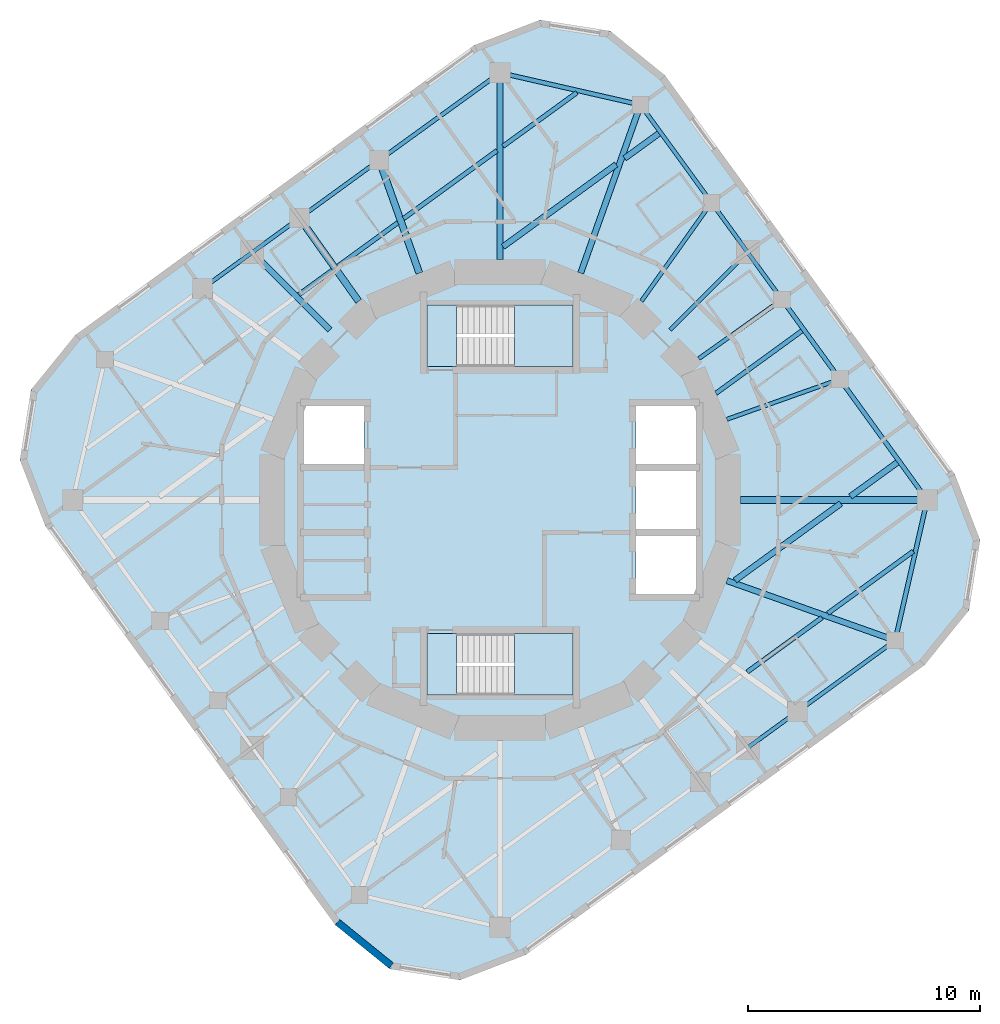
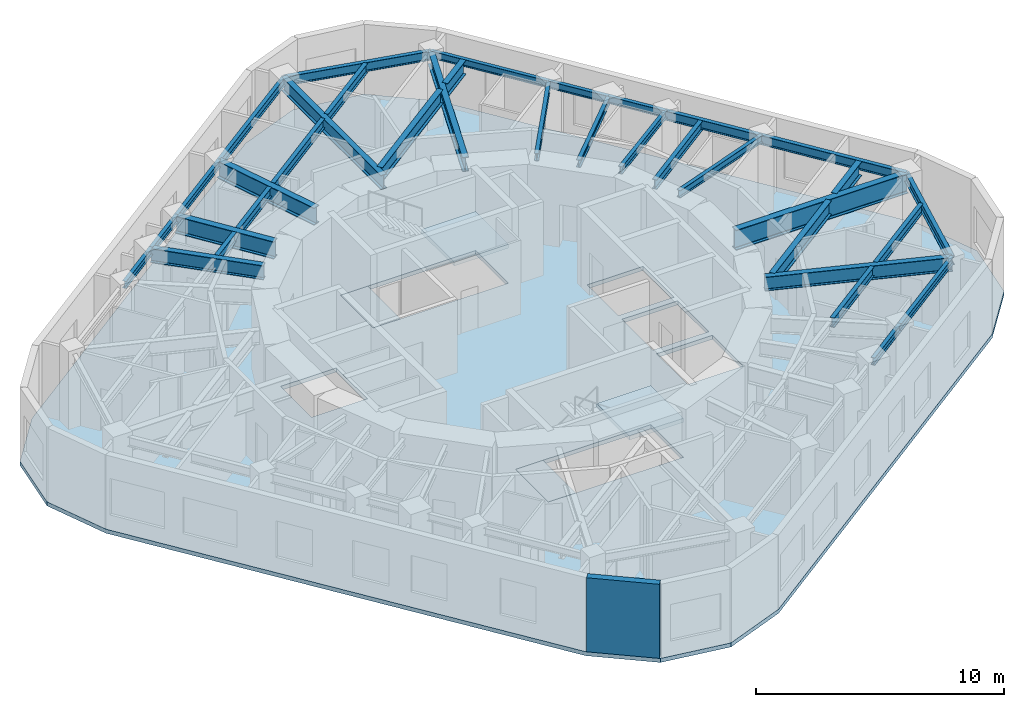
# One storey, part 2 of 9: 35 beams, 5 slabs, 1 wall, 2 elements without a shape of their own.
"""IFC4 building model written with IfcOpenShell, lengths in metres."""

from ifc_helpers import new_model, si_unit, direction, frame, frame_2d, origin, origin_2d, place, context, subcontext, project, spatial, polyline, rectangle, i_section, outline, extrude, material, layer, layer_set, material_profile, profile_set, type_object, element, aggregate, save


model = new_model("IFC4")

# Units and contexts
model_context = context("Model", 3, precision=1e-05, world=origin(), true_north=direction((0.0, 1.0)))
body_context = subcontext(model_context, "Body", "Model", "MODEL_VIEW")
ifc_project = project(units=[si_unit("LENGTHUNIT", "METRE"), si_unit("AREAUNIT", "SQUARE_METRE"), si_unit("VOLUMEUNIT", "CUBIC_METRE"), si_unit("PLANEANGLEUNIT", "RADIAN"), si_unit("MASSUNIT", "GRAM", prefix="KILO")], contexts=[model_context])

# Site, building, storey
site_placement = place(None, origin())
site = spatial("IfcSite", under=ifc_project, at=site_placement, CompositionType="ELEMENT")
building_placement = place(site_placement, origin())
building = spatial("IfcBuilding", under=site, at=building_placement, Name="Nakasero Lantern House", CompositionType="ELEMENT")
storey_placement = place(building_placement, frame((0.0, 0.0, 279.14990234375)))
storey = spatial("IfcBuildingStorey", under=building, at=storey_placement, Name="L68", CompositionType="ELEMENT", Elevation=279.14990234375)

# Beams
ifc_material_1 = material(Name="Steel S355", Category="steel")
ifc_material_profile_1 = material_profile(ifc_material_1, i_section(OverallWidth=0.19140625, OverallDepth=0.4599609375, WebThickness=0.010009765625, FlangeThickness=0.01611328125, FilletRadius=0.01025390625, at=origin_2d()), Name="UB 457x191x82")
ifc_profile_set_1 = profile_set([ifc_material_profile_1], Name="Steel S355")
beam_type_1 = type_object("IfcBeamType", Name="Infill beam UB 457x191x82", PredefinedType="JOIST", material=ifc_profile_set_1)
beam_1_placement = place(storey_placement, frame((10.646240234375, -7.406982421875, 3.420166015625), z_axis=(0.809006350712, 0.587799901759, 0.0), x_axis=(-0.587799901759, 0.809006350712, 0.0)))
element("IfcBeam", 1, at=beam_1_placement, inside=storey, type_object=beam_type_1, Name="Infill beam L69 03.6", PredefinedType="JOIST", context=body_context, shape_type="SweptSolid", body=[
    extrude(i_section(OverallWidth=0.19140625, OverallDepth=0.4599609375, WebThickness=0.010009765625, FlangeThickness=0.01611328125, FilletRadius=0.01025390625, at=origin_2d()), origin(), (0.0, 0.0, 1.0), 3.983154296875),
])
beam_2_placement = place(storey_placement, frame((14.117431640625, -4.885009765625, 3.420166015625), z_axis=(0.80901210161, 0.587791986546, 0.0), x_axis=(-0.587791986546, 0.80901210161, 0.0)))
element("IfcBeam", 2, at=beam_2_placement, inside=storey, type_object=beam_type_1, Name="Infill beam L69 03.7", PredefinedType="JOIST", context=body_context, shape_type="SweptSolid", body=[
    extrude(i_section(OverallWidth=0.19140625, OverallDepth=0.4599609375, WebThickness=0.010009765625, FlangeThickness=0.01611328125, FilletRadius=0.01025390625, at=origin_2d()), origin(), (0.0, 0.0, 1.0), 4.55029296875),
])
beam_3_placement = place(storey_placement, frame((9.306396484375, 4.598388671875, 3.420166015625), z_axis=(0.809017640959, 0.587784362344, 0.0), x_axis=(-0.587784362344, 0.809017640959, 0.0)))
element("IfcBeam", 3, at=beam_3_placement, inside=storey, type_object=beam_type_1, Name="Infill beam L69 06.1", PredefinedType="JOIST", context=body_context, shape_type="SweptSolid", body=[
    extrude(i_section(OverallWidth=0.19140625, OverallDepth=0.4599609375, WebThickness=0.010009765625, FlangeThickness=0.01611328125, FilletRadius=0.01025390625, at=origin_2d()), origin(), (0.0, 0.0, 1.0), 4.572998046875),
])
beam_4_placement = place(storey_placement, frame((-8.665283203125, 8.84619140625, 3.420166015625), z_axis=(0.809060510352, 0.587725353025, 0.0), x_axis=(-0.587725353025, 0.809060510352, 0.0)))
element("IfcBeam", 4, at=beam_4_placement, inside=storey, type_object=beam_type_1, Name="Infill beam L69 10.4", PredefinedType="JOIST", context=body_context, shape_type="SweptSolid", body=[
    extrude(i_section(OverallWidth=0.19140625, OverallDepth=0.4599609375, WebThickness=0.010009765625, FlangeThickness=0.01611328125, FilletRadius=0.01025390625, at=origin_2d()), origin(), (0.0, 0.0, 1.0), 1.7890625),
])
beam_5_placement = place(storey_placement, frame((-6.981201171875, 10.069580078125, 3.420166015625), z_axis=(0.809014147131, 0.587789171167, 0.0), x_axis=(-0.587789171167, 0.809014147131, 0.0)))
element("IfcBeam", 5, at=beam_5_placement, inside=storey, type_object=beam_type_1, Name="Infill beam L69 10.5", PredefinedType="JOIST", context=body_context, shape_type="SweptSolid", body=[
    extrude(i_section(OverallWidth=0.19140625, OverallDepth=0.4599609375, WebThickness=0.010009765625, FlangeThickness=0.01611328125, FilletRadius=0.01025390625, at=origin_2d()), origin(), (0.0, 0.0, 1.0), 3.188232421875),
])
beam_6_placement = place(storey_placement, frame((-4.1552734375, 12.122802734375, 3.420166015625), z_axis=(0.809018056479, 0.587783790428, 0.0), x_axis=(-0.587783790428, 0.809018056479, 0.0)))
element("IfcBeam", 6, at=beam_6_placement, inside=storey, type_object=beam_type_1, Name="Infill beam L69 10.6", PredefinedType="JOIST", context=body_context, shape_type="SweptSolid", body=[
    extrude(i_section(OverallWidth=0.19140625, OverallDepth=0.4599609375, WebThickness=0.010009765625, FlangeThickness=0.01611328125, FilletRadius=0.01025390625, at=origin_2d()), origin(), (0.0, 0.0, 1.0), 4.97802734375),
])
beam_7_placement = place(storey_placement, frame((0.1279296875, 15.23486328125, 3.420166015625), z_axis=(0.809028442836, 0.587769494515, 0.0), x_axis=(-0.587769494515, 0.809028442836, 0.0)))
element("IfcBeam", 7, at=beam_7_placement, inside=storey, type_object=beam_type_1, Name="Infill beam L69 10.7", PredefinedType="JOIST", context=body_context, shape_type="SweptSolid", body=[
    extrude(i_section(OverallWidth=0.19140625, OverallDepth=0.4599609375, WebThickness=0.010009765625, FlangeThickness=0.01611328125, FilletRadius=0.01025390625, at=origin_2d()), origin(), (0.0, 0.0, 1.0), 3.934814453125),
])
ifc_material_2 = material(Name="Steel S355", Category="steel")
ifc_material_profile_2 = material_profile(ifc_material_2, i_section(OverallWidth=0.255859375, OverallDepth=0.69287109375, WebThickness=0.014404296875, FlangeThickness=0.023681640625, FilletRadius=0.01513671875, at=origin_2d()), Name="UB 686x254x170")
ifc_profile_set_2 = profile_set([ifc_material_profile_2], Name="Steel S355")
beam_type_2 = type_object("IfcBeamType", Name="Infill beam UB 686x254x170", PredefinedType="JOIST", material=ifc_profile_set_2)
beam_8_placement = place(storey_placement, frame((10.119384765625, -3.46337890625, 3.3037109375), z_axis=(0.809013172462, 0.587790512669, 0.0), x_axis=(-0.587790512669, 0.809013172462, 0.0)))
element("IfcBeam", 8, at=beam_8_placement, inside=storey, type_object=beam_type_2, Name="Infill beam L69 04.3", PredefinedType="JOIST", context=body_context, shape_type="SweptSolid", body=[
    extrude(i_section(OverallWidth=0.255859375, OverallDepth=0.69287109375, WebThickness=0.014404296875, FlangeThickness=0.023681640625, FilletRadius=0.01513671875, at=origin_2d()), origin(), (0.0, 0.0, 1.0), 5.63720703125),
])
beam_9_placement = place(storey_placement, frame((15.0927734375, 0.14990234375, 3.3037109375), z_axis=(0.809015124384, 0.587787826106, 0.0), x_axis=(-0.587787826106, 0.809015124384, 0.0)))
element("IfcBeam", 9, at=beam_9_placement, inside=storey, type_object=beam_type_2, Name="Infill beam L69 04.4", PredefinedType="JOIST", context=body_context, shape_type="SweptSolid", body=[
    extrude(i_section(OverallWidth=0.255859375, OverallDepth=0.69287109375, WebThickness=0.014404296875, FlangeThickness=0.023681640625, FilletRadius=0.01513671875, at=origin_2d()), origin(), (0.0, 0.0, 1.0), 2.496337890625),
])
beam_10_placement = place(storey_placement, frame((0.1279296875, 10.908447265625, 3.3037109375), z_axis=(0.809011117524, 0.587793340998, 0.0), x_axis=(-0.587793340998, 0.809011117524, 0.0)))
element("IfcBeam", 10, at=beam_10_placement, inside=storey, type_object=beam_type_2, Name="Infill beam L69 09.3", PredefinedType="JOIST", context=body_context, shape_type="SweptSolid", body=[
    extrude(i_section(OverallWidth=0.255859375, OverallDepth=0.69287109375, WebThickness=0.014404296875, FlangeThickness=0.023681640625, FilletRadius=0.01513671875, at=origin_2d()), origin(), (0.0, 0.0, 1.0), 6.024658203125),
])
beam_11_placement = place(storey_placement, frame((5.367919921875, 14.715576171875, 3.3037109375), z_axis=(0.809025740158, 0.587773214566, 0.0), x_axis=(-0.587773214566, 0.809025740158, 0.0)))
element("IfcBeam", 11, at=beam_11_placement, inside=storey, type_object=beam_type_2, Name="Infill beam L69 09.4", PredefinedType="JOIST", context=body_context, shape_type="SweptSolid", body=[
    extrude(i_section(OverallWidth=0.255859375, OverallDepth=0.69287109375, WebThickness=0.014404296875, FlangeThickness=0.023681640625, FilletRadius=0.01513671875, at=origin_2d()), origin(), (0.0, 0.0, 1.0), 1.82177734375),
])
ifc_material_3 = material(Name="Steel S355", Category="steel")
ifc_material_profile_3 = material_profile(ifc_material_3, i_section(OverallWidth=0.300048828125, OverallDepth=0.97998046875, WebThickness=0.0166015625, FlangeThickness=0.02587890625, FilletRadius=0.030029296875, at=origin_2d()), Name="UB 1016x305x249")
ifc_profile_set_3 = profile_set([ifc_material_profile_3], Name="Steel S355")
beam_type_3 = type_object("IfcBeamType", Name="Primary beam UB 1016x305x249, span 6 to 9 m", PredefinedType="BEAM", material=ifc_profile_set_3)
beam_12_placement = place(storey_placement, frame((18.39990234375, 0.0, 3.16015625), z_axis=(-1.0, 0.0, 0.0), x_axis=(0.0, -1.0, 0.0)))
element("IfcBeam", 12, at=beam_12_placement, inside=storey, type_object=beam_type_3, Name="Primary beam L69 B7-C03", PredefinedType="BEAM", context=body_context, shape_type="SweptSolid", body=[
    extrude(i_section(OverallWidth=0.300048828125, OverallDepth=0.97998046875, WebThickness=0.0166015625, FlangeThickness=0.02587890625, FilletRadius=0.030029296875, at=origin_2d()), origin(), (0.0, 0.0, 1.0), 8.0419921875),
])
ifc_material_4 = material(Name="Steel S355", Category="steel")
ifc_material_profile_4 = material_profile(ifc_material_4, i_section(OverallWidth=0.17138671875, OverallDepth=0.35498046875, WebThickness=0.00732421875, FlangeThickness=0.011474609375, FilletRadius=0.01025390625, at=origin_2d()), Name="UB 356x171x51")
ifc_profile_set_4 = profile_set([ifc_material_profile_4], Name="Steel S355")
beam_type_4 = type_object("IfcBeamType", Name="Primary beam UB 356x171x51, span to 6 m", PredefinedType="BEAM", material=ifc_profile_set_4)
beam_13_placement = place(storey_placement, frame((14.636474609375, 5.2041015625, 3.47265625), z_axis=(-0.942221324153, -0.3349910093, 0.0), x_axis=(0.3349910093, -0.942221324153, 0.0)))
element("IfcBeam", 13, at=beam_13_placement, inside=storey, type_object=beam_type_4, Name="Primary beam L69 B7-C04", PredefinedType="BEAM", context=body_context, shape_type="SweptSolid", body=[
    extrude(i_section(OverallWidth=0.17138671875, OverallDepth=0.35498046875, WebThickness=0.00732421875, FlangeThickness=0.011474609375, FilletRadius=0.01025390625, at=origin_2d()), origin(), (0.0, 0.0, 1.0), 5.162841796875),
])
beam_14_placement = place(storey_placement, frame((12.1435546875, 8.63525390625, 3.47265625), z_axis=(-0.814988544116, -0.579477068537, 0.0), x_axis=(0.579477068537, -0.814988544116, 0.0)))
element("IfcBeam", 14, at=beam_14_placement, inside=storey, type_object=beam_type_4, Name="Primary beam L69 B7-C05", PredefinedType="BEAM", context=body_context, shape_type="SweptSolid", body=[
    extrude(i_section(OverallWidth=0.17138671875, OverallDepth=0.35498046875, WebThickness=0.00732421875, FlangeThickness=0.011474609375, FilletRadius=0.01025390625, at=origin_2d()), origin(), (0.0, 0.0, 1.0), 4.396484375),
])
beam_15_placement = place(storey_placement, frame((10.667236328125, 10.667236328125, 3.47265625), z_axis=(-0.707106781187, -0.707106781187, 0.0), x_axis=(0.707106781187, -0.707106781187, 0.0)))
element("IfcBeam", 15, at=beam_15_placement, inside=storey, type_object=beam_type_4, Name="Primary beam L69 B7-C06", PredefinedType="BEAM", context=body_context, shape_type="SweptSolid", body=[
    extrude(i_section(OverallWidth=0.17138671875, OverallDepth=0.35498046875, WebThickness=0.00732421875, FlangeThickness=0.011474609375, FilletRadius=0.01025390625, at=origin_2d()), origin(), (0.0, 0.0, 1.0), 4.727783203125),
])
beam_16_placement = place(storey_placement, frame((9.10986328125, 12.810791015625, 3.47265625), z_axis=(-0.579500985986, -0.814971537688, 0.0), x_axis=(0.814971537688, -0.579500985986, 0.0)))
element("IfcBeam", 16, at=beam_16_placement, inside=storey, type_object=beam_type_4, Name="Primary beam L69 B7-C07", PredefinedType="BEAM", context=body_context, shape_type="SweptSolid", body=[
    extrude(i_section(OverallWidth=0.17138671875, OverallDepth=0.35498046875, WebThickness=0.00732421875, FlangeThickness=0.011474609375, FilletRadius=0.01025390625, at=origin_2d()), origin(), (0.0, 0.0, 1.0), 5.215087890625),
])
ifc_material_5 = material(Name="Steel S355", Category="steel")
ifc_material_profile_5 = material_profile(ifc_material_5, i_section(OverallWidth=0.253662109375, OverallDepth=0.68359375, WebThickness=0.012451171875, FlangeThickness=0.01904296875, FilletRadius=0.01513671875, at=origin_2d()), Name="UB 686x254x140")
ifc_profile_set_5 = profile_set([ifc_material_profile_5], Name="Steel S355")
beam_type_5 = type_object("IfcBeamType", Name="Primary beam UB 686x254x140, span 6 to 9 m", PredefinedType="BEAM", material=ifc_profile_set_5)
beam_17_placement = place(storey_placement, frame((17.02001953125, -6.051513671875, 3.308349609375), z_axis=(-0.942222036561, 0.334989005521, 0.0), x_axis=(-0.334989005521, -0.942222036561, 0.0)))
element("IfcBeam", 17, at=beam_17_placement, inside=storey, type_object=beam_type_5, Name="Primary beam L69 B7-C02", PredefinedType="BEAM", context=body_context, shape_type="SweptSolid", body=[
    extrude(i_section(OverallWidth=0.253662109375, OverallDepth=0.68359375, WebThickness=0.012451171875, FlangeThickness=0.01904296875, FilletRadius=0.01513671875, at=origin_2d()), origin(), (0.0, 0.0, 1.0), 7.6923828125),
])
ifc_material_6 = material(Name="Steel S355", Category="steel")
ifc_material_profile_6 = material_profile(ifc_material_6, i_section(OverallWidth=0.255859375, OverallDepth=0.69287109375, WebThickness=0.014404296875, FlangeThickness=0.023681640625, FilletRadius=0.01513671875, at=origin_2d()), Name="UB 686x254x170")
ifc_profile_set_6 = profile_set([ifc_material_profile_6], Name="Steel S355")
beam_type_6 = type_object("IfcBeamType", Name="Primary beam UB 686x254x170, span 6 to 9 m", PredefinedType="BEAM", material=ifc_profile_set_6)
beam_18_placement = place(storey_placement, frame((6.051513671875, 17.02001953125, 3.3037109375), z_axis=(-0.334989005521, -0.942222036561, 0.0), x_axis=(0.942222036561, -0.334989005521, 0.0)))
element("IfcBeam", 18, at=beam_18_placement, inside=storey, type_object=beam_type_6, Name="Primary beam L69 B7-C08", PredefinedType="BEAM", context=body_context, shape_type="SweptSolid", body=[
    extrude(i_section(OverallWidth=0.255859375, OverallDepth=0.69287109375, WebThickness=0.014404296875, FlangeThickness=0.023681640625, FilletRadius=0.01513671875, at=origin_2d()), origin(), (0.0, 0.0, 1.0), 7.6923828125),
])
beam_19_placement = place(storey_placement, frame((0.0, 18.39990234375, 3.3037109375), z_axis=(0.0, -1.0, 0.0), x_axis=(1.0, 0.0, 0.0)))
element("IfcBeam", 19, at=beam_19_placement, inside=storey, type_object=beam_type_6, Name="Primary beam L69 B7-C09", PredefinedType="BEAM", context=body_context, shape_type="SweptSolid", body=[
    extrude(i_section(OverallWidth=0.255859375, OverallDepth=0.69287109375, WebThickness=0.014404296875, FlangeThickness=0.023681640625, FilletRadius=0.01513671875, at=origin_2d()), origin(), (0.0, 0.0, 1.0), 8.0419921875),
])
ifc_material_7 = material(Name="Steel S355", Category="steel")
ifc_material_profile_7 = material_profile(ifc_material_7, i_section(OverallWidth=0.255859375, OverallDepth=0.69287109375, WebThickness=0.014404296875, FlangeThickness=0.023681640625, FilletRadius=0.01513671875, at=origin_2d()), Name="UB 686x254x170")
ifc_profile_set_7 = profile_set([ifc_material_profile_7], Name="Steel S355")
beam_type_7 = type_object("IfcBeamType", Name="Primary beam UB 686x254x170, span to 6 m", PredefinedType="BEAM", material=ifc_profile_set_7)
beam_20_placement = place(storey_placement, frame((-10.667236328125, 10.667236328125, 3.3037109375), z_axis=(0.707106781187, -0.707106781187, 0.0), x_axis=(0.707106781187, 0.707106781187, 0.0)))
element("IfcBeam", 20, at=beam_20_placement, inside=storey, type_object=beam_type_7, Name="Primary beam L69 B7-C12", PredefinedType="BEAM", context=body_context, shape_type="SweptSolid", body=[
    extrude(i_section(OverallWidth=0.255859375, OverallDepth=0.69287109375, WebThickness=0.014404296875, FlangeThickness=0.023681640625, FilletRadius=0.01513671875, at=origin_2d()), origin(), (0.0, 0.0, 1.0), 4.727783203125),
])
ifc_material_8 = material(Name="Steel S355", Category="steel")
ifc_material_profile_8 = material_profile(ifc_material_8, i_section(OverallWidth=0.29248046875, OverallDepth=0.8408203125, WebThickness=0.0146484375, FlangeThickness=0.02685546875, FilletRadius=0.017822265625, at=origin_2d()), Name="UB 838x292x194")
ifc_profile_set_8 = profile_set([ifc_material_profile_8], Name="Steel S355")
beam_type_8 = type_object("IfcBeamType", Name="Primary beam UB 838x292x194, span to 6 m", PredefinedType="BEAM", material=ifc_profile_set_8)
beam_21_placement = place(storey_placement, frame((-5.2041015625, 14.636474609375, 3.229736328125), z_axis=(0.3349910093, -0.942221324153, 0.0), x_axis=(0.942221324153, 0.3349910093, 0.0)))
element("IfcBeam", 21, at=beam_21_placement, inside=storey, type_object=beam_type_8, Name="Primary beam L69 B7-C10", PredefinedType="BEAM", context=body_context, shape_type="SweptSolid", body=[
    extrude(i_section(OverallWidth=0.29248046875, OverallDepth=0.8408203125, WebThickness=0.0146484375, FlangeThickness=0.02685546875, FilletRadius=0.017822265625, at=origin_2d()), origin(), (0.0, 0.0, 1.0), 5.162841796875),
])
beam_22_placement = place(storey_placement, frame((-8.63525390625, 12.1435546875, 3.229736328125), z_axis=(0.579477068537, -0.814988544116, 0.0), x_axis=(0.814988544116, 0.579477068537, 0.0)))
element("IfcBeam", 22, at=beam_22_placement, inside=storey, type_object=beam_type_8, Name="Primary beam L69 B7-C11", PredefinedType="BEAM", context=body_context, shape_type="SweptSolid", body=[
    extrude(i_section(OverallWidth=0.29248046875, OverallDepth=0.8408203125, WebThickness=0.0146484375, FlangeThickness=0.02685546875, FilletRadius=0.017822265625, at=origin_2d()), origin(), (0.0, 0.0, 1.0), 4.396484375),
])
ifc_material_9 = material(Name="Steel S355", Category="steel")
ifc_material_profile_9 = material_profile(ifc_material_9, i_section(OverallWidth=0.17138671875, OverallDepth=0.35498046875, WebThickness=0.00732421875, FlangeThickness=0.011474609375, FilletRadius=0.01025390625, at=origin_2d()), Name="UB 356x171x51")
ifc_profile_set_9 = profile_set([ifc_material_profile_9], Name="Steel S355")
beam_type_9 = type_object("IfcBeamType", Name="Ring beam UB 356x171x51", PredefinedType="BEAM", material=ifc_profile_set_9)
beam_23_placement = place(storey_placement, frame((12.810791015625, -9.10986328125, 3.47265625), z_axis=(0.809001814948, 0.587806144414, 0.0), x_axis=(-0.587806144414, 0.809001814948, 0.0)))
element("IfcBeam", 23, at=beam_23_placement, inside=storey, type_object=beam_type_9, Name="Ring beam L69 B7-C01", PredefinedType="BEAM", context=body_context, shape_type="SweptSolid", body=[
    extrude(i_section(OverallWidth=0.17138671875, OverallDepth=0.35498046875, WebThickness=0.00732421875, FlangeThickness=0.011474609375, FilletRadius=0.01025390625, at=origin_2d()), origin(), (0.0, 0.0, 1.0), 5.202880859375),
])
beam_24_placement = place(storey_placement, frame((12.1435546875, 8.63525390625, 3.47265625), z_axis=(-0.58778439593, 0.809017616558, 0.0), x_axis=(-0.809017616558, -0.58778439593, 0.0)))
element("IfcBeam", 24, at=beam_24_placement, inside=storey, type_object=beam_type_9, Name="Ring beam L69 B7-C05", PredefinedType="BEAM", context=body_context, shape_type="SweptSolid", body=[
    extrude(i_section(OverallWidth=0.17138671875, OverallDepth=0.35498046875, WebThickness=0.00732421875, FlangeThickness=0.011474609375, FilletRadius=0.01025390625, at=origin_2d()), origin(), (0.0, 0.0, 1.0), 2.51171875),
])
beam_25_placement = place(storey_placement, frame((10.667236328125, 10.667236328125, 3.47265625), z_axis=(-0.587782635143, 0.809018895839, 0.0), x_axis=(-0.809018895839, -0.587782635143, 0.0)))
element("IfcBeam", 25, at=beam_25_placement, inside=storey, type_object=beam_type_9, Name="Ring beam L69 B7-C06", PredefinedType="BEAM", context=body_context, shape_type="SweptSolid", body=[
    extrude(i_section(OverallWidth=0.17138671875, OverallDepth=0.35498046875, WebThickness=0.00732421875, FlangeThickness=0.011474609375, FilletRadius=0.01025390625, at=origin_2d()), origin(), (0.0, 0.0, 1.0), 2.649658203125),
])
beam_26_placement = place(storey_placement, frame((9.10986328125, 12.810791015625, 3.47265625), z_axis=(-0.587806144414, 0.809001814948, 0.0), x_axis=(-0.809001814948, -0.587806144414, 0.0)))
element("IfcBeam", 26, at=beam_26_placement, inside=storey, type_object=beam_type_9, Name="Ring beam L69 B7-C07", PredefinedType="BEAM", context=body_context, shape_type="SweptSolid", body=[
    extrude(i_section(OverallWidth=0.17138671875, OverallDepth=0.35498046875, WebThickness=0.00732421875, FlangeThickness=0.011474609375, FilletRadius=0.01025390625, at=origin_2d()), origin(), (0.0, 0.0, 1.0), 5.202880859375),
])
beam_27_placement = place(storey_placement, frame((-5.2041015625, 14.636474609375, 3.47265625), z_axis=(-0.809012304944, -0.587791706687, 0.0), x_axis=(0.587791706687, -0.809012304944, 0.0)))
element("IfcBeam", 27, at=beam_27_placement, inside=storey, type_object=beam_type_9, Name="Ring beam L69 B7-C10", PredefinedType="BEAM", context=body_context, shape_type="SweptSolid", body=[
    extrude(i_section(OverallWidth=0.17138671875, OverallDepth=0.35498046875, WebThickness=0.00732421875, FlangeThickness=0.011474609375, FilletRadius=0.01025390625, at=origin_2d()), origin(), (0.0, 0.0, 1.0), 4.2412109375),
])
beam_28_placement = place(storey_placement, frame((-8.63525390625, 12.1435546875, 3.47265625), z_axis=(-0.809017616558, -0.58778439593, 0.0), x_axis=(0.58778439593, -0.809017616558, 0.0)))
element("IfcBeam", 28, at=beam_28_placement, inside=storey, type_object=beam_type_9, Name="Ring beam L69 B7-C11", PredefinedType="BEAM", context=body_context, shape_type="SweptSolid", body=[
    extrude(i_section(OverallWidth=0.17138671875, OverallDepth=0.35498046875, WebThickness=0.00732421875, FlangeThickness=0.011474609375, FilletRadius=0.01025390625, at=origin_2d()), origin(), (0.0, 0.0, 1.0), 2.51171875),
])
for number, where, z_axis, x_axis, name in (
    (29, (-10.667236328125, 10.667236328125, 3.47265625), (-0.809018895839, -0.587782635143, 0.0), (0.587782635143, -0.809018895839, 0.0), "Ring beam L69 B7-C12"),
    (30, (10.667236328125, -10.667236328125, 3.47265625), (0.809018895839, 0.587782635143, 0.0), (-0.587782635143, 0.809018895839, 0.0), "Ring beam L69 B7-C24"),
):
    element("IfcBeam", number, at=place(storey_placement, frame(where, z_axis=z_axis, x_axis=x_axis)), inside=storey, type_object=beam_type_9, Name=name, PredefinedType="BEAM", context=body_context, shape_type="SweptSolid", body=[
        extrude(i_section(OverallWidth=0.17138671875, OverallDepth=0.35498046875, WebThickness=0.00732421875, FlangeThickness=0.011474609375, FilletRadius=0.01025390625, at=origin_2d()), origin(), (0.0, 0.0, 1.0), 2.649658203125),
    ])
ifc_material_10 = material(Name="Steel S355", Category="steel")
ifc_material_profile_10 = material_profile(ifc_material_10, i_section(OverallWidth=0.177978515625, OverallDepth=0.406494140625, WebThickness=0.0078125, FlangeThickness=0.0126953125, FilletRadius=0.01025390625, at=origin_2d()), Name="UB 406x178x60")
ifc_profile_set_10 = profile_set([ifc_material_profile_10], Name="Steel S355")
beam_type_10 = type_object("IfcBeamType", Name="Ring beam UB 406x178x60", PredefinedType="BEAM", material=ifc_profile_set_10)
beam_29_placement = place(storey_placement, frame((0.0, 18.39990234375, 3.44677734375), z_axis=(-0.810316200404, -0.58599287996, 0.0), x_axis=(0.58599287996, -0.810316200404, 0.0)))
element("IfcBeam", 31, at=beam_29_placement, inside=storey, type_object=beam_type_10, Name="Ring beam L69 B7-C09", PredefinedType="BEAM", context=body_context, shape_type="SweptSolid", body=[
    extrude(i_section(OverallWidth=0.177978515625, OverallDepth=0.406494140625, WebThickness=0.0078125, FlangeThickness=0.0126953125, FilletRadius=0.01025390625, at=origin_2d()), origin(), (0.0, 0.0, 1.0), 6.42236328125),
])
ifc_material_11 = material(Name="Steel S355", Category="steel")
ifc_material_profile_11 = material_profile(ifc_material_11, i_section(OverallWidth=0.18994140625, OverallDepth=0.453369140625, WebThickness=0.008544921875, FlangeThickness=0.0126953125, FilletRadius=0.01025390625, at=origin_2d()), Name="UB 457x191x67")
ifc_profile_set_11 = profile_set([ifc_material_profile_11], Name="Steel S355")
beam_type_11 = type_object("IfcBeamType", Name="Ring beam UB 457x191x67", PredefinedType="BEAM", material=ifc_profile_set_11)
beam_30_placement = place(storey_placement, frame((17.02001953125, -6.051513671875, 3.42333984375), z_axis=(0.222316387753, 0.974974575944, 0.0), x_axis=(-0.974974575944, 0.222316387753, 0.0)))
element("IfcBeam", 32, at=beam_30_placement, inside=storey, type_object=beam_type_11, Name="Ring beam L69 B7-C02", PredefinedType="BEAM", context=body_context, shape_type="SweptSolid", body=[
    extrude(i_section(OverallWidth=0.18994140625, OverallDepth=0.453369140625, WebThickness=0.008544921875, FlangeThickness=0.0126953125, FilletRadius=0.01025390625, at=origin_2d()), origin(), (0.0, 0.0, 1.0), 6.206787109375),
])
beam_31_placement = place(storey_placement, frame((14.636474609375, 5.2041015625, 3.42333984375), z_axis=(-0.587791706687, 0.809012304944, 0.0), x_axis=(-0.809012304944, -0.587791706687, 0.0)))
element("IfcBeam", 33, at=beam_31_placement, inside=storey, type_object=beam_type_11, Name="Ring beam L69 B7-C04", PredefinedType="BEAM", context=body_context, shape_type="SweptSolid", body=[
    extrude(i_section(OverallWidth=0.18994140625, OverallDepth=0.453369140625, WebThickness=0.008544921875, FlangeThickness=0.0126953125, FilletRadius=0.01025390625, at=origin_2d()), origin(), (0.0, 0.0, 1.0), 4.2412109375),
])
beam_32_placement = place(storey_placement, frame((6.051513671875, 17.02001953125, 3.42333984375), z_axis=(-0.974974575944, 0.222316387753, 0.0), x_axis=(-0.222316387753, -0.974974575944, 0.0)))
element("IfcBeam", 34, at=beam_32_placement, inside=storey, type_object=beam_type_11, Name="Ring beam L69 B7-C08", PredefinedType="BEAM", context=body_context, shape_type="SweptSolid", body=[
    extrude(i_section(OverallWidth=0.18994140625, OverallDepth=0.453369140625, WebThickness=0.008544921875, FlangeThickness=0.0126953125, FilletRadius=0.01025390625, at=origin_2d()), origin(), (0.0, 0.0, 1.0), 6.206787109375),
])
ifc_material_12 = material(Name="Steel S355", Category="steel")
ifc_material_profile_12 = material_profile(ifc_material_12, i_section(OverallWidth=0.19140625, OverallDepth=0.4599609375, WebThickness=0.010009765625, FlangeThickness=0.01611328125, FilletRadius=0.01025390625, at=origin_2d()), Name="UB 457x191x82")
ifc_profile_set_12 = profile_set([ifc_material_profile_12], Name="Steel S355")
beam_type_12 = type_object("IfcBeamType", Name="Ring beam UB 457x191x82", PredefinedType="BEAM", material=ifc_profile_set_12)
beam_33_placement = place(storey_placement, frame((18.39990234375, 0.0, 3.420166015625), z_axis=(-0.58599287996, 0.810316200404, 0.0), x_axis=(-0.810316200404, -0.58599287996, 0.0)))
element("IfcBeam", 35, at=beam_33_placement, inside=storey, type_object=beam_type_12, Name="Ring beam L69 B7-C03", PredefinedType="BEAM", context=body_context, shape_type="SweptSolid", body=[
    extrude(i_section(OverallWidth=0.19140625, OverallDepth=0.4599609375, WebThickness=0.010009765625, FlangeThickness=0.01611328125, FilletRadius=0.01025390625, at=origin_2d()), origin(), (0.0, 0.0, 1.0), 6.42236328125),
])

# Slab
ifc_material_13 = material(Name="Concrete C35/45", Category="concrete")
ifc_layer_1 = layer(ifc_material_13, 0.199951171875)
ifc_layer_set_1 = layer_set([ifc_layer_1], Name="Composite floor slab 200")
slab_type_1 = type_object("IfcSlabType", Name="Composite floor slab 200", PredefinedType="FLOOR", material=ifc_layer_set_1)
slab_1_placement = place(storey_placement, frame((0.0, 0.0, -0.199951171875)))
element("IfcSlab", 36, at=slab_1_placement, inside=storey, type_object=slab_type_1, Name="Floor slab L68", PredefinedType="FLOOR", context=body_context, shape_type="SweptSolid", body=[
    extrude(outline(polyline([(7.1181640625, 18.27392578125), (4.744873046875, 20.196044921875), (1.728271484375, 20.673828125), (-1.122802734375, 19.579345703125), (-18.27392578125, 7.1181640625), (-20.196044921875, 4.744873046875), (-20.673828125, 1.728271484375), (-19.579345703125, -1.122802734375), (-7.1181640625, -18.27392578125), (-4.744873046875, -20.196044921875), (-1.728271484375, -20.673828125), (1.122802734375, -19.579345703125), (18.27392578125, -7.1181640625), (20.196044921875, -4.744873046875), (20.673828125, -1.728271484375), (19.579345703125, 1.122802734375), (7.1181640625, 18.27392578125)]), holes=[polyline([(-8.449951171875, 1.550048828125), (-5.85009765625, 1.550048828125), (-5.85009765625, 4.050048828125), (-8.449951171875, 4.050048828125), (-8.449951171875, 1.550048828125)]), polyline([(5.85009765625, -4.050048828125), (8.449951171875, -4.050048828125), (8.449951171875, -1.550048828125), (5.85009765625, -1.550048828125), (5.85009765625, -4.050048828125)]), polyline([(5.85009765625, -1.25), (8.449951171875, -1.25), (8.449951171875, 1.25), (5.85009765625, 1.25), (5.85009765625, -1.25)]), polyline([(5.85009765625, 1.550048828125), (8.449951171875, 1.550048828125), (8.449951171875, 4.050048828125), (5.85009765625, 4.050048828125), (5.85009765625, 1.550048828125)]), polyline([(-3.14990234375, 5.75), (3.14990234375, 5.75), (3.14990234375, 8.39990234375), (-3.14990234375, 8.39990234375), (-3.14990234375, 5.75)]), polyline([(-3.14990234375, -8.39990234375), (3.14990234375, -8.39990234375), (3.14990234375, -5.75), (-3.14990234375, -5.75), (-3.14990234375, -8.39990234375)])]), origin(), (0.0, 0.0, 1.0), 0.199951171875),
])

# Stair, slabs
ifc_material_14 = material(Name="Concrete C40/50", Category="concrete")
stair_type_1 = type_object("IfcStairType", Name="Escape stair ST1 22 risers", PredefinedType="HALF_TURN_STAIR", material=ifc_material_14)
stair_1_placement = place(storey_placement, origin())
stair_1 = element("IfcStair", 37, at=stair_1_placement, inside=storey, type_object=stair_type_1, Name="Escape stair ST1 L68", PredefinedType="HALF_TURN_STAIR")
ifc_material_15 = material(Name="Concrete C40/50", Category="concrete")
ifc_layer_2 = layer(ifc_material_15, 0.199951171875)
ifc_layer_set_2 = layer_set([ifc_layer_2], Name="Stair landing 200")
slab_type_2 = type_object("IfcSlabType", Name="Stair landing 200", PredefinedType="LANDING", material=ifc_layer_set_2)
slab_2_placement = place(storey_placement, frame((0.0, 0.0, -0.199951171875)))
slab_2 = element("IfcSlab", 38, at=slab_2_placement, type_object=slab_type_2, Name="ST1 landing 1", PredefinedType="LANDING", context=body_context, shape_type="SweptSolid", body=[
    extrude(outline(polyline([(-3.14990234375, 5.75), (-1.875, 5.75), (-1.875, 8.39990234375), (-3.14990234375, 8.39990234375), (-3.14990234375, 5.75)])), origin(), (0.0, 0.0, 1.0), 0.199951171875),
])
slab_3_placement = place(storey_placement, frame((0.0, 0.0, 1.72509765625)))
slab_3 = element("IfcSlab", 39, at=slab_3_placement, type_object=slab_type_2, Name="ST1 landing 2", PredefinedType="LANDING", context=body_context, shape_type="SweptSolid", body=[
    extrude(outline(polyline([(0.625, 5.75), (3.14990234375, 5.75), (3.14990234375, 8.39990234375), (0.625, 8.39990234375), (0.625, 5.75)])), origin(), (0.0, 0.0, 1.0), 0.199951171875),
])
aggregate(stair_1, [slab_2, slab_3])

ifc_material_16 = material(Name="Concrete C40/50", Category="concrete")
stair_type_2 = type_object("IfcStairType", Name="Escape stair ST2 22 risers", PredefinedType="HALF_TURN_STAIR", material=ifc_material_16)
stair_2_placement = place(storey_placement, origin())
stair_2 = element("IfcStair", 40, at=stair_2_placement, inside=storey, type_object=stair_type_2, Name="Escape stair ST2 L68", PredefinedType="HALF_TURN_STAIR")
slab_4_placement = place(storey_placement, frame((0.0, 0.0, -0.199951171875)))
slab_4 = element("IfcSlab", 41, at=slab_4_placement, type_object=slab_type_2, Name="ST2 landing 1", PredefinedType="LANDING", context=body_context, shape_type="SweptSolid", body=[
    extrude(outline(polyline([(-3.14990234375, -8.39990234375), (-1.875, -8.39990234375), (-1.875, -5.75), (-3.14990234375, -5.75), (-3.14990234375, -8.39990234375)])), origin(), (0.0, 0.0, 1.0), 0.199951171875),
])
slab_5_placement = place(storey_placement, frame((0.0, 0.0, 1.72509765625)))
slab_5 = element("IfcSlab", 42, at=slab_5_placement, type_object=slab_type_2, Name="ST2 landing 2", PredefinedType="LANDING", context=body_context, shape_type="SweptSolid", body=[
    extrude(outline(polyline([(0.625, -8.39990234375), (3.14990234375, -8.39990234375), (3.14990234375, -5.75), (0.625, -5.75), (0.625, -8.39990234375)])), origin(), (0.0, 0.0, 1.0), 0.199951171875),
])
aggregate(stair_2, [slab_4, slab_5])

# Wall
ifc_material_17 = material(Name="Aluminium rainscreen on blockwork", Category="masonry")
ifc_layer_3 = layer(ifc_material_17, 0.300048828125)
ifc_layer_set_3 = layer_set([ifc_layer_3], Name="Facade wall 300")
wall_type = type_object("IfcWallType", Name="Facade wall 300", PredefinedType="SOLIDWALL", material=ifc_layer_set_3)
wall_placement = place(storey_placement, frame((-6.996826171875, -18.185791015625, 0.0), z_axis=(0.0, 0.0, 1.0), x_axis=(0.777101588319, -0.629375183362, 0.0)))
element("IfcWall", 43, at=wall_placement, inside=storey, type_object=wall_type, Name="Facade wall L68 FW2C1", PredefinedType="SOLIDWALL", context=body_context, shape_type="SweptSolid", body=[
    extrude(rectangle(XDim=2.976318359375, YDim=0.300048828125, at=frame_2d((1.48828125, 0.0))), origin(), (0.0, 0.0, 1.0), 3.650146484375),
])

save(model, "model.ifc")
